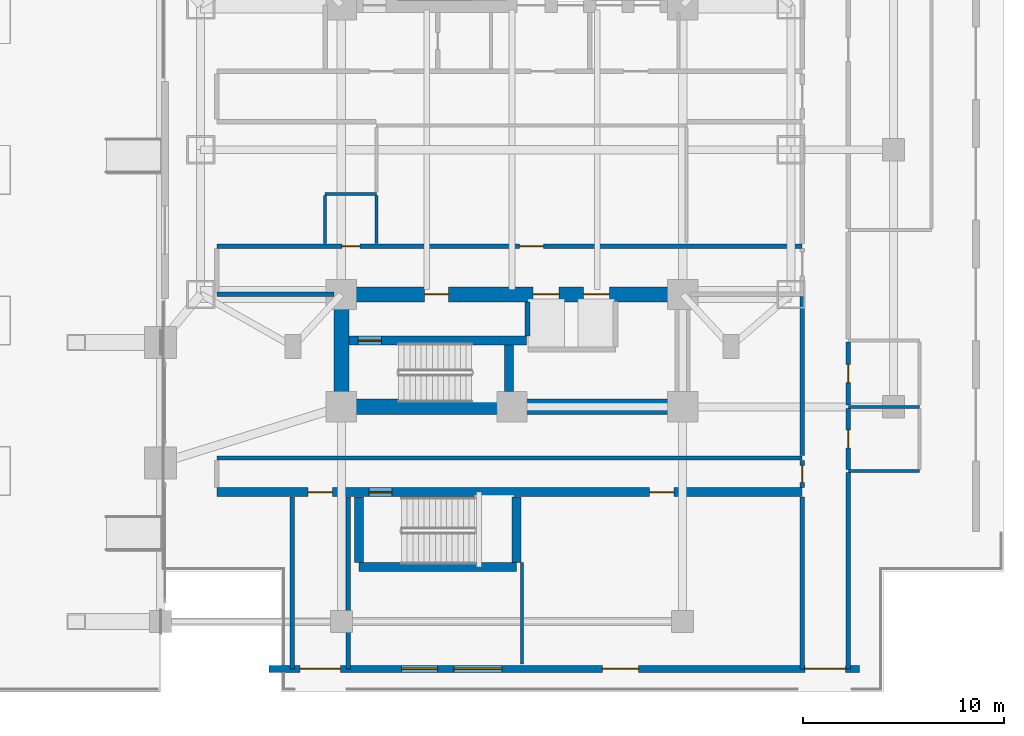
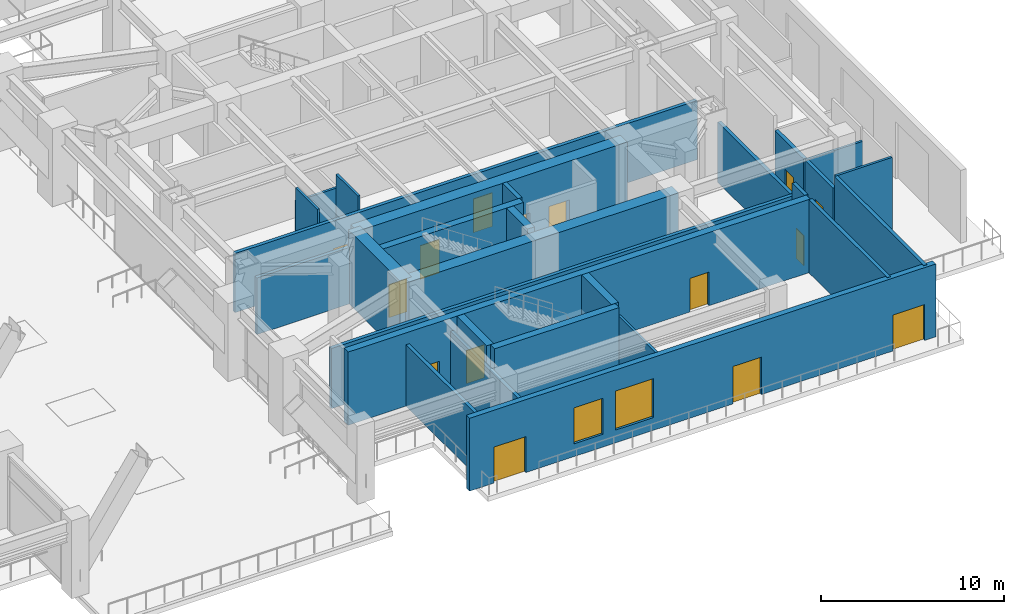
# One storey, part 13 of 27: 28 walls, 15 doors, 2 windows, 17 openings.
"""IFC4 building model written with IfcOpenShell, lengths in metres."""

from ifc_helpers import new_model, si_unit, direction, frame, frame_2d, origin, place, context, subcontext, project, spatial, rectangle, extrude, material, layer, layer_set, type_object, element, fill, save


model = new_model("IFC4")

# Units and contexts
model_context = context("Model", 3, precision=1e-05, world=origin(), true_north=direction((0.0, 1.0)))
body_context = subcontext(model_context, "Body", "Model", "MODEL_VIEW")
ifc_project = project(units=[si_unit("LENGTHUNIT", "METRE"), si_unit("AREAUNIT", "SQUARE_METRE"), si_unit("VOLUMEUNIT", "CUBIC_METRE"), si_unit("PLANEANGLEUNIT", "RADIAN"), si_unit("MASSUNIT", "GRAM", prefix="KILO")], contexts=[model_context])

# Site, building, storey
site_placement = place(None, origin())
site = spatial("IfcSite", under=ifc_project, at=site_placement, CompositionType="ELEMENT")
building_placement = place(site_placement, origin())
building = spatial("IfcBuilding", under=site, at=building_placement, Name="Mirazonda Arch Towers", CompositionType="ELEMENT")
storey_placement = place(building_placement, origin())
storey = spatial("IfcBuildingStorey", under=building, at=storey_placement, Name="L00", CompositionType="ELEMENT", Elevation=0.0)

# Wall
ifc_material_1 = material(Name="Concrete C50/60", Category="concrete")
ifc_layer_1 = layer(ifc_material_1, 0.449951171875, Name="WALL-CORE-450")
ifc_layer_set_1 = layer_set([ifc_layer_1], Name="Concrete C50/60")
wall_type_1 = type_object("IfcWallType", Name="WALL-CORE-450", PredefinedType="SHEAR", material=ifc_layer_set_1)
wall_1_placement = place(storey_placement, frame((68.8701171875, 7.219970703125, 0.0), z_axis=(0.0, 0.0, 1.0), x_axis=(1.0, 0.0, 0.0)))
element("IfcWall", 1, at=wall_1_placement, inside=storey, type_object=wall_type_1, Name="L00 Stair Core Shear Wall 003", PredefinedType="SHEAR", context=body_context, shape_type="SweptSolid", body=[
    extrude(rectangle(XDim=7.85986328125, YDim=0.449951171875, at=frame_2d((3.929931640625, 0.0))), origin(), (0.0, 0.0, 1.0), 4.8798828125),
])

# Wall, openings, doors
wall_2_placement = place(storey_placement, frame((61.800048828125, 10.949951171875, 0.0), z_axis=(0.0, 0.0, 1.0), x_axis=(1.0, 0.0, 0.0)))
wall_2 = element("IfcWall", 2, at=wall_2_placement, inside=storey, type_object=wall_type_1, Name="L00 Stair Core Shear Wall 005", PredefinedType="SHEAR", context=body_context, shape_type="SweptSolid", body=[
    extrude(rectangle(XDim=29.14990234375, YDim=0.449951171875, at=frame_2d((14.574951171875, 0.0))), origin(), (0.0, 0.0, 1.0), 4.8798828125),
])
opening_1_placement = place(wall_2_placement, frame((4.550048828125, 0.0, 0.0)))
opening_1 = element("IfcOpeningElement", 3, at=opening_1_placement, cuts=wall_2, Name="Opening DR-117", PredefinedType="OPENING", context=body_context, shape_type="SweptSolid", body=[
    extrude(rectangle(XDim=1.199951171875, YDim=2.25, at=frame_2d((0.60009765625, 1.125))), frame((0.0, 0.23486328125, 0.0), z_axis=(0.0, -1.0, 0.0), x_axis=(1.0, 0.0, 0.0)), (0.0, 0.0, 1.0), 0.469970703125),
])
opening_2_placement = place(wall_2_placement, frame((7.570068359375, 0.0, 0.0)))
opening_2 = element("IfcOpeningElement", 4, at=opening_2_placement, cuts=wall_2, Name="Opening DR-135", PredefinedType="OPENING", context=body_context, shape_type="SweptSolid", body=[
    extrude(rectangle(XDim=1.14990234375, YDim=2.199951171875, at=frame_2d((0.574951171875, 1.10009765625))), frame((0.0, 0.23486328125, 0.0), z_axis=(0.0, -1.0, 0.0), x_axis=(1.0, 0.0, 0.0)), (0.0, 0.0, 1.0), 0.469970703125),
])
opening_3_placement = place(wall_2_placement, frame((21.554931640625, 0.0, 0.0)))
opening_3 = element("IfcOpeningElement", 5, at=opening_3_placement, cuts=wall_2, Name="Opening DR-117", PredefinedType="OPENING", context=body_context, shape_type="SweptSolid", body=[
    extrude(rectangle(XDim=1.199951171875, YDim=2.25, at=frame_2d((0.60009765625, 1.125))), frame((0.0, 0.23486328125, 0.0), z_axis=(0.0, -1.0, 0.0), x_axis=(1.0, 0.0, 0.0)), (0.0, 0.0, 1.0), 0.469970703125),
])
ifc_material_2 = material(Name="Architectural Brushed Steel S355", Category="steel")
door_type_1 = type_object("IfcDoorType", Name="DOOR-FFL-FD90-1200", OperationType="NOTDEFINED", PredefinedType="DOOR", material=ifc_material_2)
door_1_placement = place(opening_1_placement, origin())
door_1 = element("IfcDoor", 6, at=door_1_placement, inside=storey, type_object=door_type_1, Name="L00 East Podium Protected Exit Discharge Passageway Door", OperationType="SINGLE_SWING_LEFT", OverallHeight=2.25, OverallWidth=1.199951171875, PredefinedType="DOOR", context=body_context, shape_type="SweptSolid", body=[
    extrude(rectangle(XDim=1.199951171875, YDim=2.25, at=frame_2d((0.60009765625, 1.125))), frame((0.0, 0.02490234375, 0.0), z_axis=(0.0, -1.0, 0.0), x_axis=(1.0, 0.0, 0.0)), (0.0, 0.0, 1.0), 0.050048828125),
])
fill(opening_1, door_1)
door_2_placement = place(opening_3_placement, origin())
door_2 = element("IfcDoor", 7, at=door_2_placement, inside=storey, type_object=door_type_1, Name="L00 Luxury Watch & Jewellery Salon East Door", OperationType="SINGLE_SWING_LEFT", OverallHeight=2.25, OverallWidth=1.199951171875, PredefinedType="DOOR", context=body_context, shape_type="SweptSolid", body=[
    extrude(rectangle(XDim=1.199951171875, YDim=2.25, at=frame_2d((0.60009765625, 1.125))), frame((0.0, 0.02490234375, 0.0), z_axis=(0.0, -1.0, 0.0), x_axis=(1.0, 0.0, 0.0)), (0.0, 0.0, 1.0), 0.050048828125),
])
fill(opening_3, door_2)
door_type_2 = type_object("IfcDoorType", Name="DOOR-STAIR-FD90-1150", OperationType="NOTDEFINED", PredefinedType="DOOR", material=ifc_material_2)
door_3_placement = place(opening_2_placement, origin())
door_3 = element("IfcDoor", 8, at=door_3_placement, inside=storey, type_object=door_type_2, Name="L00 Protected Podium Stair East Door", OperationType="SINGLE_SWING_LEFT", OverallHeight=2.199951171875, OverallWidth=1.14990234375, PredefinedType="DOOR", context=body_context, shape_type="SweptSolid", body=[
    extrude(rectangle(XDim=1.14990234375, YDim=2.199951171875, at=frame_2d((0.574951171875, 1.10009765625))), frame((0.0, 0.02490234375, 0.0), z_axis=(0.0, -1.0, 0.0), x_axis=(1.0, 0.0, 0.0)), (0.0, 0.0, 1.0), 0.050048828125),
])
fill(opening_2, door_3)

# Wall, opening, door
wall_3_placement = place(storey_placement, frame((68.3701171875, 18.5, 0.0), z_axis=(0.0, 0.0, 1.0), x_axis=(1.0, 0.0, 0.0)))
wall_3 = element("IfcWall", 9, at=wall_3_placement, inside=storey, type_object=wall_type_1, Name="L00 Stair Core Shear Wall 018", PredefinedType="SHEAR", context=body_context, shape_type="SweptSolid", body=[
    extrude(rectangle(XDim=8.849853515625, YDim=0.449951171875, at=frame_2d((4.4248046875, 0.0))), origin(), (0.0, 0.0, 1.0), 4.8798828125),
])
opening_4_placement = place(wall_3_placement, frame((0.469970703125, 0.0, 0.0)))
opening_4 = element("IfcOpeningElement", 10, at=opening_4_placement, cuts=wall_3, Name="Opening DR-135", PredefinedType="OPENING", context=body_context, shape_type="SweptSolid", body=[
    extrude(rectangle(XDim=1.14990234375, YDim=2.199951171875, at=frame_2d((0.574951171875, 1.10009765625))), frame((0.0, 0.23486328125, 0.0), z_axis=(0.0, -1.0, 0.0), x_axis=(1.0, 0.0, 0.0)), (0.0, 0.0, 1.0), 0.469970703125),
])
door_4_placement = place(opening_4_placement, origin())
door_4 = element("IfcDoor", 11, at=door_4_placement, inside=storey, type_object=door_type_2, Name="L00 East Protected Stair South Door", OperationType="SINGLE_SWING_LEFT", OverallHeight=2.199951171875, OverallWidth=1.14990234375, PredefinedType="DOOR", context=body_context, shape_type="SweptSolid", body=[
    extrude(rectangle(XDim=1.14990234375, YDim=2.199951171875, at=frame_2d((0.574951171875, 1.10009765625))), frame((0.0, 0.02490234375, 0.0), z_axis=(0.0, -1.0, 0.0), x_axis=(1.0, 0.0, 0.0)), (0.0, 0.0, 1.0), 0.050048828125),
])
fill(opening_4, door_4)

# Walls
wall_4_placement = place(storey_placement, frame((68.8701171875, 7.455078125, 0.0), z_axis=(0.0, 0.0, 1.0), x_axis=(0.0, 1.0, 0.0)))
element("IfcWall", 12, at=wall_4_placement, inside=storey, type_object=wall_type_1, Name="L00 Stair Core Shear Wall 096", PredefinedType="SHEAR", context=body_context, shape_type="SweptSolid", body=[
    extrude(rectangle(XDim=3.260009765625, YDim=0.449951171875, at=frame_2d((1.6298828125, 0.0))), origin(), (0.0, 0.0, 1.0), 4.8798828125),
])
wall_5_placement = place(storey_placement, frame((76.360107421875, 15.965087890625, 0.0), z_axis=(0.0, 0.0, 1.0), x_axis=(0.0, 1.0, 0.0)))
element("IfcWall", 13, at=wall_5_placement, inside=storey, type_object=wall_type_1, Name="L00 Stair Core Shear Wall 101", PredefinedType="SHEAR", context=body_context, shape_type="SweptSolid", body=[
    extrude(rectangle(XDim=2.2998046875, YDim=0.449951171875, at=frame_2d((1.14990234375, 0.0))), origin(), (0.0, 0.0, 1.0), 4.8798828125),
])
wall_6_placement = place(storey_placement, frame((76.72998046875, 7.455078125, 0.0), z_axis=(0.0, 0.0, 1.0), x_axis=(0.0, 1.0, 0.0)))
element("IfcWall", 14, at=wall_6_placement, inside=storey, type_object=wall_type_1, Name="L00 Stair Core Shear Wall 103", PredefinedType="SHEAR", context=body_context, shape_type="SweptSolid", body=[
    extrude(rectangle(XDim=3.260009765625, YDim=0.449951171875, at=frame_2d((1.6298828125, 0.0))), origin(), (0.0, 0.0, 1.0), 4.8798828125),
])
ifc_material_3 = material(Name="Concrete C60/75", Category="concrete")
ifc_layer_2 = layer(ifc_material_3, 0.75, Name="WALL-CORE-750")
ifc_layer_set_2 = layer_set([ifc_layer_2], Name="Concrete C60/75")
wall_type_2 = type_object("IfcWallType", Name="WALL-CORE-750", PredefinedType="SHEAR", material=ifc_layer_set_2)
wall_7_placement = place(storey_placement, frame((68.0, 15.199951171875, 0.0), z_axis=(0.0, 0.0, 1.0), x_axis=(1.0, 0.0, 0.0)))
element("IfcWall", 15, at=wall_7_placement, inside=storey, type_object=wall_type_2, Name="L00 T2S-S Core Shear Wall", PredefinedType="SHEAR", context=body_context, shape_type="SweptSolid", body=[
    extrude(rectangle(XDim=17.0, YDim=0.75, at=frame_2d((8.5, 0.0))), origin(), (0.0, 0.0, 1.0), 4.8798828125),
])
wall_8_placement = place(storey_placement, frame((68.0, 15.199951171875, 0.0), z_axis=(0.0, 0.0, 1.0), x_axis=(0.0, 1.0, 0.0)))
element("IfcWall", 16, at=wall_8_placement, inside=storey, type_object=wall_type_2, Name="L00 T2S-W Core Shear Wall", PredefinedType="SHEAR", context=body_context, shape_type="SweptSolid", body=[
    extrude(rectangle(XDim=5.60009765625, YDim=0.75, at=frame_2d((2.800048828125, 0.0))), origin(), (0.0, 0.0, 1.0), 4.8798828125),
])

# Wall, openings, doors
wall_9_placement = place(storey_placement, frame((68.0, 20.800048828125, 0.0), z_axis=(0.0, 0.0, 1.0), x_axis=(1.0, 0.0, 0.0)))
wall_9 = element("IfcWall", 17, at=wall_9_placement, inside=storey, type_object=wall_type_2, Name="L00 T2S-N Core Shear Wall", PredefinedType="SHEAR", context=body_context, shape_type="SweptSolid", body=[
    extrude(rectangle(XDim=17.0, YDim=0.75, at=frame_2d((8.5, 0.0))), origin(), (0.0, 0.0, 1.0), 4.8798828125),
])
opening_5_placement = place(wall_9_placement, frame((4.14501953125, 0.0, 0.0)))
opening_5 = element("IfcOpeningElement", 18, at=opening_5_placement, cuts=wall_9, Name="Opening DR-117", PredefinedType="OPENING", context=body_context, shape_type="SweptSolid", body=[
    extrude(rectangle(XDim=1.199951171875, YDim=2.25, at=frame_2d((0.60009765625, 1.125))), frame((0.0, 0.385009765625, 0.0), z_axis=(0.0, -1.0, 0.0), x_axis=(1.0, 0.0, 0.0)), (0.0, 0.0, 1.0), 0.77001953125),
])
opening_6_placement = place(wall_9_placement, frame((9.550048828125, 0.0, 0.0)))
opening_6 = element("IfcOpeningElement", 19, at=opening_6_placement, cuts=wall_9, Name="Opening LD-111", PredefinedType="OPENING", context=body_context, shape_type="SweptSolid", body=[
    extrude(rectangle(XDim=1.300048828125, YDim=2.300048828125, at=frame_2d((0.64990234375, 1.14990234375))), frame((0.0, 0.385009765625, 0.0), z_axis=(0.0, -1.0, 0.0), x_axis=(1.0, 0.0, 0.0)), (0.0, 0.0, 1.0), 0.77001953125),
])
opening_7_placement = place(wall_9_placement, frame((12.050048828125, 0.0, 0.0)))
opening_7 = element("IfcOpeningElement", 20, at=opening_7_placement, cuts=wall_9, Name="Opening LD-111", PredefinedType="OPENING", context=body_context, shape_type="SweptSolid", body=[
    extrude(rectangle(XDim=1.300048828125, YDim=2.300048828125, at=frame_2d((0.64990234375, 1.14990234375))), frame((0.0, 0.385009765625, 0.0), z_axis=(0.0, -1.0, 0.0), x_axis=(1.0, 0.0, 0.0)), (0.0, 0.0, 1.0), 0.77001953125),
])
door_5_placement = place(opening_5_placement, origin())
door_5 = element("IfcDoor", 21, at=door_5_placement, inside=storey, type_object=door_type_1, Name="L00 East South Stair & Lift Lobby Door", OperationType="SINGLE_SWING_RIGHT", OverallHeight=2.25, OverallWidth=1.199951171875, PredefinedType="DOOR", context=body_context, shape_type="SweptSolid", body=[
    extrude(rectangle(XDim=1.199951171875, YDim=2.25, at=frame_2d((0.60009765625, 1.125))), frame((0.0, 0.02490234375, 0.0), z_axis=(0.0, -1.0, 0.0), x_axis=(1.0, 0.0, 0.0)), (0.0, 0.0, 1.0), 0.050048828125),
])
fill(opening_5, door_5)
door_type_3 = type_object("IfcDoorType", Name="DOOR-LIFT-LAND-1300", OperationType="NOTDEFINED", PredefinedType="DOOR", material=ifc_material_2)
door_6_placement = place(opening_6_placement, origin())
door_6 = element("IfcDoor", 22, at=door_6_placement, inside=storey, type_object=door_type_3, Name="L00 Lift Landing Sliding Door PL-T2H1", OperationType="DOUBLE_DOOR_SLIDING", OverallHeight=2.300048828125, OverallWidth=1.300048828125, PredefinedType="DOOR", context=body_context, shape_type="SweptSolid", body=[
    extrude(rectangle(XDim=1.300048828125, YDim=2.300048828125, at=frame_2d((0.64990234375, 1.14990234375))), frame((0.0, 0.02490234375, 0.0), z_axis=(0.0, -1.0, 0.0), x_axis=(1.0, 0.0, 0.0)), (0.0, 0.0, 1.0), 0.050048828125),
])
fill(opening_6, door_6)
door_7_placement = place(opening_7_placement, origin())
door_7 = element("IfcDoor", 23, at=door_7_placement, inside=storey, type_object=door_type_3, Name="L00 Lift Landing Sliding Door PL-T2H2", OperationType="DOUBLE_DOOR_SLIDING", OverallHeight=2.300048828125, OverallWidth=1.300048828125, PredefinedType="DOOR", context=body_context, shape_type="SweptSolid", body=[
    extrude(rectangle(XDim=1.300048828125, YDim=2.300048828125, at=frame_2d((0.64990234375, 1.14990234375))), frame((0.0, 0.02490234375, 0.0), z_axis=(0.0, -1.0, 0.0), x_axis=(1.0, 0.0, 0.0)), (0.0, 0.0, 1.0), 0.050048828125),
])
fill(opening_7, door_7)

# Wall, openings, doors, windows
ifc_material_4 = material(Name="Precast Concrete C40/50", Category="concrete")
ifc_layer_3 = layer(ifc_material_4, 0.35009765625, Name="WALL-EXT-WALL-350")
ifc_layer_set_3 = layer_set([ifc_layer_3], Name="Precast Concrete C40/50")
wall_type_3 = type_object("IfcWallType", Name="WALL-EXT-WALL-350", PredefinedType="SOLIDWALL", material=ifc_layer_set_3)
wall_10_placement = place(storey_placement, frame((93.800048828125, 2.14990234375, 0.0), z_axis=(0.0, 0.0, 1.0), x_axis=(-1.0, 0.0, 0.0)))
wall_10 = element("IfcWall", 24, at=wall_10_placement, inside=storey, type_object=wall_type_3, Name="L00 South East Podium Street Wall WL-L00-S-E", PredefinedType="SOLIDWALL", context=body_context, shape_type="SweptSolid", body=[
    extrude(rectangle(XDim=29.400146484375, YDim=0.35009765625, at=frame_2d((14.7001953125, 0.0))), origin(), (0.0, 0.0, 1.0), 4.860107421875),
])
opening_8_placement = place(wall_10_placement, frame((17.800048828125, 0.0, 0.85009765625)))
opening_8 = element("IfcOpeningElement", 25, at=opening_8_placement, cuts=wall_10, Name="Opening WN-111", PredefinedType="OPENING", context=body_context, shape_type="SweptSolid", body=[
    extrude(rectangle(XDim=2.39990234375, YDim=2.60009765625, at=frame_2d((1.199951171875, 1.300048828125))), frame((0.0, 0.18505859375, 0.0), z_axis=(0.0, -1.0, 0.0), x_axis=(1.0, 0.0, 0.0)), (0.0, 0.0, 1.0), 0.3701171875),
])
opening_9_placement = place(wall_10_placement, frame((21.0, 0.0, 0.85009765625)))
opening_9 = element("IfcOpeningElement", 26, at=opening_9_placement, cuts=wall_10, Name="Opening WN-128", PredefinedType="OPENING", context=body_context, shape_type="SweptSolid", body=[
    extrude(rectangle(XDim=1.800048828125, YDim=2.39990234375, at=frame_2d((0.89990234375, 1.199951171875))), frame((0.0, 0.18505859375, 0.0), z_axis=(0.0, -1.0, 0.0), x_axis=(1.0, 0.0, 0.0)), (0.0, 0.0, 1.0), 0.3701171875),
])
opening_10_placement = place(wall_10_placement, frame((0.699951171875, 0.0, 0.0)))
opening_10 = element("IfcOpeningElement", 27, at=opening_10_placement, cuts=wall_10, Name="Opening DR-101", PredefinedType="OPENING", context=body_context, shape_type="SweptSolid", body=[
    extrude(rectangle(XDim=2.0, YDim=2.39990234375, at=frame_2d((1.0, 1.199951171875))), frame((0.0, 0.18505859375, 0.0), z_axis=(0.0, -1.0, 0.0), x_axis=(1.0, 0.0, 0.0)), (0.0, 0.0, 1.0), 0.3701171875),
])
opening_11_placement = place(wall_10_placement, frame((11.0, 0.0, 0.0)))
opening_11 = element("IfcOpeningElement", 28, at=opening_11_placement, cuts=wall_10, Name="Opening DR-118", PredefinedType="OPENING", context=body_context, shape_type="SweptSolid", body=[
    extrude(rectangle(XDim=1.800048828125, YDim=2.5, at=frame_2d((0.89990234375, 1.25))), frame((0.0, 0.18505859375, 0.0), z_axis=(0.0, -1.0, 0.0), x_axis=(1.0, 0.0, 0.0)), (0.0, 0.0, 1.0), 0.3701171875),
])
opening_12_placement = place(wall_10_placement, frame((25.85009765625, 0.0, 0.0)))
opening_12 = element("IfcOpeningElement", 29, at=opening_12_placement, cuts=wall_10, Name="Opening DR-101", PredefinedType="OPENING", context=body_context, shape_type="SweptSolid", body=[
    extrude(rectangle(XDim=2.0, YDim=2.39990234375, at=frame_2d((1.0, 1.199951171875))), frame((0.0, 0.18505859375, 0.0), z_axis=(0.0, -1.0, 0.0), x_axis=(1.0, 0.0, 0.0)), (0.0, 0.0, 1.0), 0.3701171875),
])
door_type_4 = type_object("IfcDoorType", Name="DOOR-EXIT-EXT-2000", OperationType="NOTDEFINED", PredefinedType="DOOR", material=ifc_material_2)
door_8_placement = place(opening_10_placement, origin())
door_8 = element("IfcDoor", 30, at=door_8_placement, inside=storey, type_object=door_type_4, Name="L00 Exterior Door DR-EXIT-S4", OperationType="SINGLE_SWING_LEFT", OverallHeight=2.39990234375, OverallWidth=2.0, PredefinedType="DOOR", context=body_context, shape_type="SweptSolid", body=[
    extrude(rectangle(XDim=2.0, YDim=2.39990234375, at=frame_2d((1.0, 1.199951171875))), frame((0.0, 0.02490234375, 0.0), z_axis=(0.0, -1.0, 0.0), x_axis=(1.0, 0.0, 0.0)), (0.0, 0.0, 1.0), 0.050048828125),
])
fill(opening_10, door_8)
door_9_placement = place(opening_12_placement, origin())
door_9 = element("IfcDoor", 31, at=door_9_placement, inside=storey, type_object=door_type_4, Name="L00 Exterior Door DR-EXIT-S3", OperationType="SINGLE_SWING_RIGHT", OverallHeight=2.39990234375, OverallWidth=2.0, PredefinedType="DOOR", context=body_context, shape_type="SweptSolid", body=[
    extrude(rectangle(XDim=2.0, YDim=2.39990234375, at=frame_2d((1.0, 1.199951171875))), frame((0.0, 0.02490234375, 0.0), z_axis=(0.0, -1.0, 0.0), x_axis=(1.0, 0.0, 0.0)), (0.0, 0.0, 1.0), 0.050048828125),
])
fill(opening_12, door_9)
ifc_material_5 = material(Name="Architectural Hardwood Timber", Category="wood")
door_type_5 = type_object("IfcDoorType", Name="DOOR-SHOP-EXT-1800", OperationType="NOTDEFINED", PredefinedType="DOOR", material=ifc_material_5)
door_10_placement = place(opening_11_placement, origin())
door_10 = element("IfcDoor", 32, at=door_10_placement, inside=storey, type_object=door_type_5, Name="L00 Exterior Door DR-SHOP-SE", OperationType="SINGLE_SWING_LEFT", OverallHeight=2.5, OverallWidth=1.800048828125, PredefinedType="DOOR", context=body_context, shape_type="SweptSolid", body=[
    extrude(rectangle(XDim=1.800048828125, YDim=2.5, at=frame_2d((0.89990234375, 1.25))), frame((0.0, 0.02490234375, 0.0), z_axis=(0.0, -1.0, 0.0), x_axis=(1.0, 0.0, 0.0)), (0.0, 0.0, 1.0), 0.050048828125),
])
fill(opening_11, door_10)
ifc_material_6 = material(Name="Insulated Low-E Solar Glass", Category="glass")
window_type_1 = type_object("IfcWindowType", Name="WIN-POD-1800x2400", PartitioningType="SINGLE_PANEL", PredefinedType="WINDOW", material=ifc_material_6)
window_1_placement = place(opening_9_placement, origin())
window_1 = element("IfcWindow", 33, at=window_1_placement, inside=storey, type_object=window_type_1, Name="L00 Punched Facade Window WN-L00-SE2", OverallHeight=2.39990234375, OverallWidth=1.800048828125, PartitioningType="SINGLE_PANEL", PredefinedType="WINDOW", context=body_context, shape_type="SweptSolid", body=[
    extrude(rectangle(XDim=1.800048828125, YDim=2.39990234375, at=frame_2d((0.89990234375, 1.199951171875))), frame((0.0, 0.030029296875, 0.0), z_axis=(0.0, -1.0, 0.0), x_axis=(1.0, 0.0, 0.0)), (0.0, 0.0, 1.0), 0.06005859375),
])
fill(opening_9, window_1)
window_type_2 = type_object("IfcWindowType", Name="WIN-POD-2400x2600", PartitioningType="SINGLE_PANEL", PredefinedType="WINDOW", material=ifc_material_6)
window_2_placement = place(opening_8_placement, origin())
window_2 = element("IfcWindow", 34, at=window_2_placement, inside=storey, type_object=window_type_2, Name="L00 Punched Facade Window WN-L00-SE1", OverallHeight=2.60009765625, OverallWidth=2.39990234375, PartitioningType="SINGLE_PANEL", PredefinedType="WINDOW", context=body_context, shape_type="SweptSolid", body=[
    extrude(rectangle(XDim=2.39990234375, YDim=2.60009765625, at=frame_2d((1.199951171875, 1.300048828125))), frame((0.0, 0.030029296875, 0.0), z_axis=(0.0, -1.0, 0.0), x_axis=(1.0, 0.0, 0.0)), (0.0, 0.0, 1.0), 0.06005859375),
])
fill(opening_8, window_2)

# Walls
ifc_material_7 = material(Name="Concrete C40/50", Category="concrete")
ifc_layer_4 = layer(ifc_material_7, 0.219970703125, Name="WALL-FFL-220")
ifc_layer_set_4 = layer_set([ifc_layer_4], Name="Concrete C40/50")
wall_type_4 = type_object("IfcWallType", Name="WALL-FFL-220", PredefinedType="SOLIDWALL", material=ifc_layer_set_4)
wall_11_placement = place(storey_placement, frame((61.800048828125, 12.64990234375, 0.0), z_axis=(0.0, 0.0, 1.0), x_axis=(1.0, 0.0, 0.0)))
element("IfcWall", 35, at=wall_11_placement, inside=storey, type_object=wall_type_4, Name="L00 Interior Partition 009", PredefinedType="SOLIDWALL", context=body_context, shape_type="SweptSolid", body=[
    extrude(rectangle(XDim=29.14990234375, YDim=0.219970703125, at=frame_2d((14.574951171875, 0.0))), origin(), (0.0, 0.0, 1.0), 4.01611328125),
])
wall_12_placement = place(storey_placement, frame((61.800048828125, 20.800048828125, 0.0), z_axis=(0.0, 0.0, 1.0), x_axis=(1.0, 0.0, 0.0)))
element("IfcWall", 36, at=wall_12_placement, inside=storey, type_object=wall_type_4, Name="L00 Interior Partition 021", PredefinedType="SOLIDWALL", context=body_context, shape_type="SweptSolid", body=[
    extrude(rectangle(XDim=5.829833984375, YDim=0.219970703125, at=frame_2d((2.9150390625, 0.0))), origin(), (0.0, 0.0, 1.0), 3.77197265625),
])

# Wall, openings, doors
wall_13_placement = place(storey_placement, frame((61.800048828125, 23.199951171875, 0.0), z_axis=(0.0, 0.0, 1.0), x_axis=(1.0, 0.0, 0.0)))
wall_13 = element("IfcWall", 37, at=wall_13_placement, inside=storey, type_object=wall_type_4, Name="L00 Interior Partition 023", PredefinedType="SOLIDWALL", context=body_context, shape_type="SweptSolid", body=[
    extrude(rectangle(XDim=29.14990234375, YDim=0.219970703125, at=frame_2d((14.574951171875, 0.0))), origin(), (0.0, 0.0, 1.0), 3.945068359375),
])
opening_13_placement = place(wall_13_placement, frame((6.22509765625, 0.0, 0.0)))
opening_13 = element("IfcOpeningElement", 38, at=opening_13_placement, cuts=wall_13, Name="Opening DR-120", PredefinedType="OPENING", context=body_context, shape_type="SweptSolid", body=[
    extrude(rectangle(XDim=0.89990234375, YDim=2.10009765625, at=frame_2d((0.449951171875, 1.050048828125))), frame((0.0, 0.119873046875, 0.0), z_axis=(0.0, -1.0, 0.0), x_axis=(1.0, 0.0, 0.0)), (0.0, 0.0, 1.0), 0.239990234375),
])
opening_14_placement = place(wall_13_placement, frame((15.074951171875, 0.0, 0.0)))
opening_14 = element("IfcOpeningElement", 39, at=opening_14_placement, cuts=wall_13, Name="Opening DR-117", PredefinedType="OPENING", context=body_context, shape_type="SweptSolid", body=[
    extrude(rectangle(XDim=1.199951171875, YDim=2.25, at=frame_2d((0.60009765625, 1.125))), frame((0.0, 0.119873046875, 0.0), z_axis=(0.0, -1.0, 0.0), x_axis=(1.0, 0.0, 0.0)), (0.0, 0.0, 1.0), 0.239990234375),
])
door_11_placement = place(opening_14_placement, origin())
door_11 = element("IfcDoor", 40, at=door_11_placement, inside=storey, type_object=door_type_1, Name="L00 Branded Residences Private Arrival Lobby Door", OperationType="SINGLE_SWING_RIGHT", OverallHeight=2.25, OverallWidth=1.199951171875, PredefinedType="DOOR", context=body_context, shape_type="SweptSolid", body=[
    extrude(rectangle(XDim=1.199951171875, YDim=2.25, at=frame_2d((0.60009765625, 1.125))), frame((0.0, 0.02490234375, 0.0), z_axis=(0.0, -1.0, 0.0), x_axis=(1.0, 0.0, 0.0)), (0.0, 0.0, 1.0), 0.050048828125),
])
fill(opening_14, door_11)
door_type_6 = type_object("IfcDoorType", Name="DOOR-WC-900", OperationType="NOTDEFINED", PredefinedType="DOOR", material=ifc_material_2)
door_12_placement = place(opening_13_placement, origin())
door_12 = element("IfcDoor", 41, at=door_12_placement, inside=storey, type_object=door_type_6, Name="L00 Tower 2 Podium Accessible WC Door", OperationType="SINGLE_SWING_RIGHT", OverallHeight=2.10009765625, OverallWidth=0.89990234375, PredefinedType="DOOR", context=body_context, shape_type="SweptSolid", body=[
    extrude(rectangle(XDim=0.89990234375, YDim=2.10009765625, at=frame_2d((0.449951171875, 1.050048828125))), frame((0.0, 0.02490234375, 0.0), z_axis=(0.0, -1.0, 0.0), x_axis=(1.0, 0.0, 0.0)), (0.0, 0.0, 1.0), 0.050048828125),
])
fill(opening_13, door_12)

# Walls
wall_14_placement = place(storey_placement, frame((65.550048828125, 2.14990234375, 0.0), z_axis=(0.0, 0.0, 1.0), x_axis=(0.0, 1.0, 0.0)))
element("IfcWall", 42, at=wall_14_placement, inside=storey, type_object=wall_type_4, Name="L00 Interior Partition 092", PredefinedType="SOLIDWALL", context=body_context, shape_type="SweptSolid", body=[
    extrude(rectangle(XDim=8.565185546875, YDim=0.219970703125, at=frame_2d((4.28271484375, 0.0))), origin(), (0.0, 0.0, 1.0), 4.09912109375),
])
wall_15_placement = place(storey_placement, frame((68.35009765625, 2.14990234375, 0.0), z_axis=(0.0, 0.0, 1.0), x_axis=(0.0, 1.0, 0.0)))
element("IfcWall", 43, at=wall_15_placement, inside=storey, type_object=wall_type_4, Name="L00 Interior Partition 095", PredefinedType="SOLIDWALL", context=body_context, shape_type="SweptSolid", body=[
    extrude(rectangle(XDim=8.565185546875, YDim=0.219970703125, at=frame_2d((4.28271484375, 0.0))), origin(), (0.0, 0.0, 1.0), 4.01611328125),
])
wall_16_placement = place(storey_placement, frame((90.949951171875, 2.14990234375, 0.0), z_axis=(0.0, 0.0, 1.0), x_axis=(0.0, 1.0, 0.0)))
element("IfcWall", 44, at=wall_16_placement, inside=storey, type_object=wall_type_4, Name="L00 Interior Partition 113", PredefinedType="SOLIDWALL", context=body_context, shape_type="SweptSolid", body=[
    extrude(rectangle(XDim=8.565185546875, YDim=0.219970703125, at=frame_2d((4.28271484375, 0.0))), origin(), (0.0, 0.0, 1.0), 4.8798828125),
])

# Wall, opening, door
wall_17_placement = place(storey_placement, frame((90.949951171875, 11.18505859375, 0.0), z_axis=(0.0, 0.0, 1.0), x_axis=(0.0, 1.0, 0.0)))
wall_17 = element("IfcWall", 45, at=wall_17_placement, inside=storey, type_object=wall_type_4, Name="L00 Interior Partition 114", PredefinedType="SOLIDWALL", context=body_context, shape_type="SweptSolid", body=[
    extrude(rectangle(XDim=1.344970703125, YDim=0.219970703125, at=frame_2d((0.67236328125, 0.0))), origin(), (0.0, 0.0, 1.0), 4.8798828125),
])
opening_15_placement = place(wall_17_placement, frame((0.24755859375, 0.0, 0.0)))
opening_15 = element("IfcOpeningElement", 46, at=opening_15_placement, cuts=wall_17, Name="Opening DR-128", PredefinedType="OPENING", context=body_context, shape_type="SweptSolid", body=[
    extrude(rectangle(XDim=0.85009765625, YDim=2.010009765625, at=frame_2d((0.425048828125, 1.0048828125))), frame((0.0, 0.119873046875, 0.0), z_axis=(0.0, -1.0, 0.0), x_axis=(1.0, 0.0, 0.0)), (0.0, 0.0, 1.0), 0.239990234375),
])
door_type_7 = type_object("IfcDoorType", Name="DOOR-RISER-FD60-850", OperationType="NOTDEFINED", PredefinedType="DOOR", material=ifc_material_2)
door_13_placement = place(opening_15_placement, origin())
door_13 = element("IfcDoor", 47, at=door_13_placement, inside=storey, type_object=door_type_7, Name="L00 East South Protected Exit & Retail Promenade Door", OperationType="SINGLE_SWING_LEFT", OverallHeight=2.010009765625, OverallWidth=0.85009765625, PredefinedType="DOOR", context=body_context, shape_type="SweptSolid", body=[
    extrude(rectangle(XDim=0.85009765625, YDim=2.010009765625, at=frame_2d((0.425048828125, 1.0048828125))), frame((0.0, 0.02490234375, 0.0), z_axis=(0.0, -1.0, 0.0), x_axis=(1.0, 0.0, 0.0)), (0.0, 0.0, 1.0), 0.050048828125),
])
fill(opening_15, door_13)

# Walls
wall_18_placement = place(storey_placement, frame((90.949951171875, 12.77001953125, 0.0), z_axis=(0.0, 0.0, 1.0), x_axis=(0.0, 1.0, 0.0)))
element("IfcWall", 48, at=wall_18_placement, inside=storey, type_object=wall_type_4, Name="L00 Interior Partition 115", PredefinedType="SOLIDWALL", context=body_context, shape_type="SweptSolid", body=[
    extrude(rectangle(XDim=7.909912109375, YDim=0.219970703125, at=frame_2d((3.955078125, 0.0))), origin(), (0.0, 0.0, 1.0), 4.01611328125),
])
wall_19_placement = place(storey_placement, frame((93.25, 2.14990234375, 0.0), z_axis=(0.0, 0.0, 1.0), x_axis=(0.0, 1.0, 0.0)))
element("IfcWall", 49, at=wall_19_placement, inside=storey, type_object=wall_type_4, Name="L00 Interior Partition 120", PredefinedType="SOLIDWALL", context=body_context, shape_type="SweptSolid", body=[
    extrude(rectangle(XDim=9.76513671875, YDim=0.219970703125, at=frame_2d((4.882568359375, 0.0))), origin(), (0.0, 0.0, 1.0), 4.8798828125),
])

# Wall, opening, door
wall_20_placement = place(storey_placement, frame((93.25, 12.0849609375, 0.0), z_axis=(0.0, 0.0, 1.0), x_axis=(0.0, 1.0, 0.0)))
wall_20 = element("IfcWall", 50, at=wall_20_placement, inside=storey, type_object=wall_type_4, Name="L00 Interior Partition 121", PredefinedType="SOLIDWALL", context=body_context, shape_type="SweptSolid", body=[
    extrude(rectangle(XDim=3.030029296875, YDim=0.219970703125, at=frame_2d((1.51513671875, 0.0))), origin(), (0.0, 0.0, 1.0), 4.01611328125),
])
opening_16_placement = place(wall_20_placement, frame((1.06494140625, 0.0, 0.0)))
opening_16 = element("IfcOpeningElement", 51, at=opening_16_placement, cuts=wall_20, Name="Opening DR-120", PredefinedType="OPENING", context=body_context, shape_type="SweptSolid", body=[
    extrude(rectangle(XDim=0.89990234375, YDim=2.10009765625, at=frame_2d((0.449951171875, 1.050048828125))), frame((0.0, 0.119873046875, 0.0), z_axis=(0.0, -1.0, 0.0), x_axis=(1.0, 0.0, 0.0)), (0.0, 0.0, 1.0), 0.239990234375),
])
door_14_placement = place(opening_16_placement, origin())
door_14 = element("IfcDoor", 52, at=door_14_placement, inside=storey, type_object=door_type_6, Name="L00 Ground Concourse Men's WC Door", OperationType="SINGLE_SWING_RIGHT", OverallHeight=2.10009765625, OverallWidth=0.89990234375, PredefinedType="DOOR", context=body_context, shape_type="SweptSolid", body=[
    extrude(rectangle(XDim=0.89990234375, YDim=2.10009765625, at=frame_2d((0.449951171875, 1.050048828125))), frame((0.0, 0.02490234375, 0.0), z_axis=(0.0, -1.0, 0.0), x_axis=(1.0, 0.0, 0.0)), (0.0, 0.0, 1.0), 0.050048828125),
])
fill(opening_16, door_14)

wall_21_placement = place(storey_placement, frame((93.25, 15.284912109375, 0.0), z_axis=(0.0, 0.0, 1.0), x_axis=(0.0, 1.0, 0.0)))
wall_21 = element("IfcWall", 53, at=wall_21_placement, inside=storey, type_object=wall_type_4, Name="L00 Interior Partition 122", PredefinedType="SOLIDWALL", context=body_context, shape_type="SweptSolid", body=[
    extrude(rectangle(XDim=3.130126953125, YDim=0.219970703125, at=frame_2d((1.56494140625, 0.0))), origin(), (0.0, 0.0, 1.0), 4.01611328125),
])
opening_17_placement = place(wall_21_placement, frame((1.114990234375, 0.0, 0.0)))
opening_17 = element("IfcOpeningElement", 54, at=opening_17_placement, cuts=wall_21, Name="Opening DR-120", PredefinedType="OPENING", context=body_context, shape_type="SweptSolid", body=[
    extrude(rectangle(XDim=0.89990234375, YDim=2.10009765625, at=frame_2d((0.449951171875, 1.050048828125))), frame((0.0, 0.119873046875, 0.0), z_axis=(0.0, -1.0, 0.0), x_axis=(1.0, 0.0, 0.0)), (0.0, 0.0, 1.0), 0.239990234375),
])
door_15_placement = place(opening_17_placement, origin())
door_15 = element("IfcDoor", 55, at=door_15_placement, inside=storey, type_object=door_type_6, Name="L00 Ground Concourse Women's WC Door", OperationType="SINGLE_SWING_LEFT", OverallHeight=2.10009765625, OverallWidth=0.89990234375, PredefinedType="DOOR", context=body_context, shape_type="SweptSolid", body=[
    extrude(rectangle(XDim=0.89990234375, YDim=2.10009765625, at=frame_2d((0.449951171875, 1.050048828125))), frame((0.0, 0.02490234375, 0.0), z_axis=(0.0, -1.0, 0.0), x_axis=(1.0, 0.0, 0.0)), (0.0, 0.0, 1.0), 0.050048828125),
])
fill(opening_17, door_15)

# Walls
ifc_material_8 = material(Name="Fire-Rated Gypsum Stud Partition")
ifc_layer_5 = layer(ifc_material_8, 0.14990234375, Name="WALL-PART-CORR-150")
ifc_layer_set_5 = layer_set([ifc_layer_5], Name="Fire-Rated Gypsum Stud Partition")
wall_type_5 = type_object("IfcWallType", Name="WALL-PART-CORR-150", PredefinedType="PARTITIONING", material=ifc_layer_set_5)
wall_22_placement = place(storey_placement, frame((93.25, 12.0, 0.0), z_axis=(0.0, 0.0, 1.0), x_axis=(1.0, 0.0, 0.0)))
element("IfcWall", 56, at=wall_22_placement, inside=storey, type_object=wall_type_5, Name="L00 Interior Partition 006", PredefinedType="PARTITIONING", context=body_context, shape_type="SweptSolid", body=[
    extrude(rectangle(XDim=3.550048828125, YDim=0.14990234375, at=frame_2d((1.77490234375, 0.0))), origin(), (0.0, 0.0, 1.0), 4.8798828125),
])
wall_23_placement = place(storey_placement, frame((93.25, 15.199951171875, 0.0), z_axis=(0.0, 0.0, 1.0), x_axis=(1.0, 0.0, 0.0)))
element("IfcWall", 57, at=wall_23_placement, inside=storey, type_object=wall_type_5, Name="L00 Interior Partition 011", PredefinedType="PARTITIONING", context=body_context, shape_type="SweptSolid", body=[
    extrude(rectangle(XDim=3.550048828125, YDim=0.14990234375, at=frame_2d((1.77490234375, 0.0))), origin(), (0.0, 0.0, 1.0), 4.01611328125),
])
wall_24_placement = place(storey_placement, frame((67.199951171875, 25.800048828125, 0.0), z_axis=(0.0, 0.0, 1.0), x_axis=(1.0, 0.0, 0.0)))
element("IfcWall", 58, at=wall_24_placement, inside=storey, type_object=wall_type_5, Name="L00 Interior Partition 026", PredefinedType="PARTITIONING", context=body_context, shape_type="SweptSolid", body=[
    extrude(rectangle(XDim=2.550048828125, YDim=0.14990234375, at=frame_2d((1.27490234375, 0.0))), origin(), (0.0, 0.0, 1.0), 3.945068359375),
])
for number, where, z_axis, x_axis, name in (
    (59, (67.199951171875, 23.320068359375, 0.0), (0.0, 0.0, 1.0), (0.0, 1.0, 0.0), "L00 Interior Partition 093"),
    (60, (69.75, 23.320068359375, 0.0), (0.0, 0.0, 1.0), (0.0, 1.0, 0.0), "L00 Interior Partition 097"),
):
    element("IfcWall", number, at=place(storey_placement, frame(where, z_axis=z_axis, x_axis=x_axis)), inside=storey, type_object=wall_type_5, Name=name, PredefinedType="PARTITIONING", context=body_context, shape_type="SweptSolid", body=[
        extrude(rectangle(XDim=2.39501953125, YDim=0.14990234375, at=frame_2d((1.197509765625, 0.0))), origin(), (0.0, 0.0, 1.0), 4.8798828125),
    ])
wall_25_placement = place(storey_placement, frame((77.0, 2.39990234375, 0.0), z_axis=(0.0, 0.0, 1.0), x_axis=(0.0, 1.0, 0.0)))
element("IfcWall", 61, at=wall_25_placement, inside=storey, type_object=wall_type_5, Name="L00 Interior Partition 104", PredefinedType="PARTITIONING", context=body_context, shape_type="SweptSolid", body=[
    extrude(rectangle(XDim=5.03515625, YDim=0.14990234375, at=frame_2d((2.517578125, 0.0))), origin(), (0.0, 0.0, 1.0), 4.01611328125),
])
ifc_layer_6 = layer(ifc_material_7, 0.25, Name="WALL-SHAFT-250")
ifc_layer_set_6 = layer_set([ifc_layer_6], Name="Concrete C40/50")
wall_type_6 = type_object("IfcWallType", Name="WALL-SHAFT-250", PredefinedType="SOLIDWALL", material=ifc_layer_set_6)
wall_26_placement = place(storey_placement, frame((77.260009765625, 18.735107421875, 0.0), z_axis=(0.0, 0.0, 1.0), x_axis=(0.0, 1.0, 0.0)))
element("IfcWall", 62, at=wall_26_placement, inside=storey, type_object=wall_type_6, Name="L00 Interior Partition 105", PredefinedType="SOLIDWALL", context=body_context, shape_type="SweptSolid", body=[
    extrude(rectangle(XDim=1.69482421875, YDim=0.25, at=frame_2d((0.847412109375, 0.0))), origin(), (0.0, 0.0, 1.0), 4.8798828125),
])

save(model, "model.ifc")
